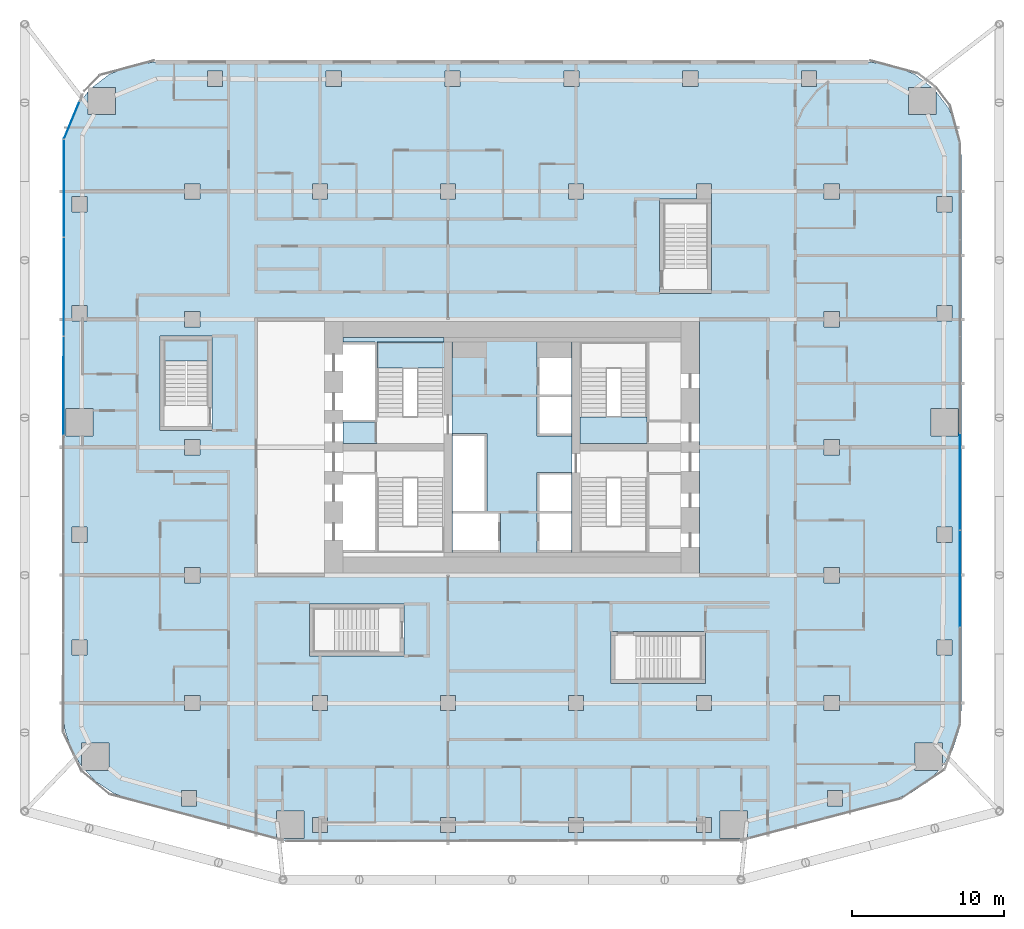
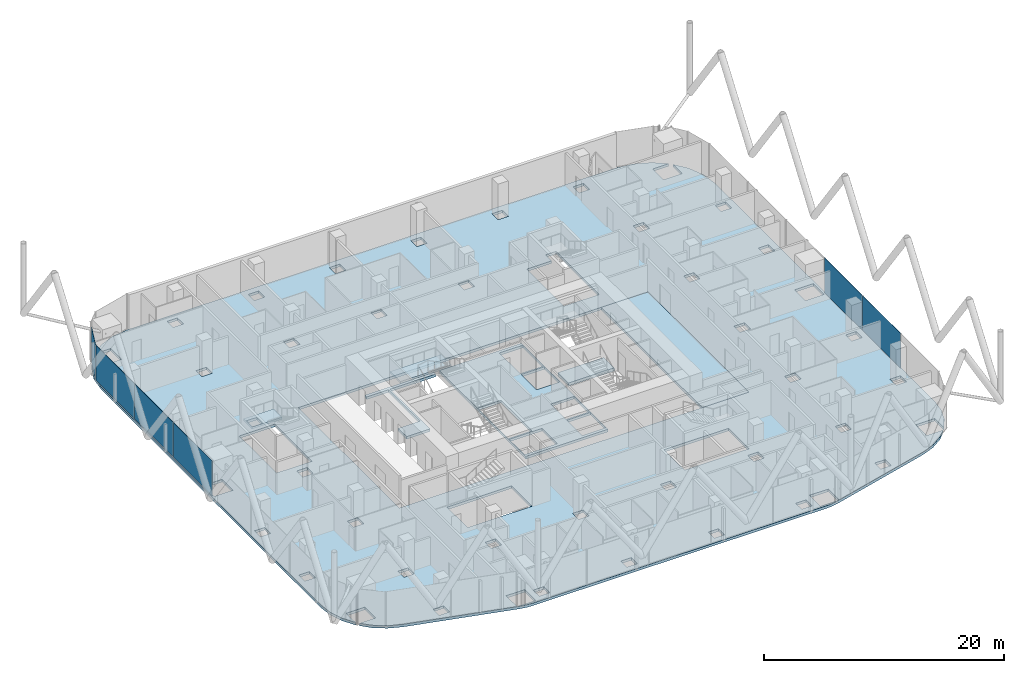
# One storey, part 21 of 34: 7 slabs, 6 plates, 5 elements without a shape of their own.
"""IFC4 building model written with IfcOpenShell, lengths in metres."""

import ifcopenshell
import ifcopenshell.guid

model = None  # the IFC model being written
_history = None  # IfcOwnerHistory: only IFC2X3 demands one
_inside = {}  # id of a spatial element -> (the spatial element, [elements in it])
_under = {}  # id of a project, library or spatial element -> (it, [spatial elements below it])
_declared = {}  # id of a project -> (the project, [libraries it declares])
_typed = {}  # id of a type object -> (the type object, [elements of that type])
_made_of = {}  # id of a material, layer set ... -> (it, [elements and type objects made of it])


def new_model(schema):
    """Start an empty IFC model of exactly this schema.

    Asked for "IFC4X3", IfcOpenShell would pick the latest addendum, in which some entities
    have other attributes; the version numbers below select the first issue.
    IFC2X3 requires an IfcOwnerHistory on every rooted entity: one is made here for all.
    """
    global model, _history
    if schema == "IFC4X3":
        model = ifcopenshell.file(schema_version=(4, 3, 0, 0))
    else:
        model = ifcopenshell.file(schema=schema)
    _inside.clear()
    _under.clear()
    _declared.clear()
    _typed.clear()
    _made_of.clear()
    _history = None
    if model.schema == "IFC2X3":
        org = make("IfcOrganization", Name="unknown")
        user = make(
            "IfcPersonAndOrganization",
            ThePerson=make("IfcPerson", FamilyName="unknown"),
            TheOrganization=org,
        )
        app = make(
            "IfcApplication",
            ApplicationDeveloper=org,
            Version="unknown",
            ApplicationFullName="unknown",
            ApplicationIdentifier="unknown",
        )
        _history = make(
            "IfcOwnerHistory",
            OwningUser=user,
            OwningApplication=app,
            ChangeAction="ADDED",
            CreationDate=0,
        )
    return model


def make(cls, **values):
    """One entity of the class cls with the attributes given. An attribute that is None is left unset."""
    return model.create_entity(
        cls, **{name: value for name, value in values.items() if value is not None}
    )


def rooted(cls, **values):
    """An entity with a GlobalId (a new one), such as an element, a storey or a relation."""
    return make(cls, GlobalId=ifcopenshell.guid.new(), OwnerHistory=_history, **values)


def si_unit(unit_type, name, prefix=None):
    """IfcSIUnit, for example si_unit("LENGTHUNIT", "METRE", prefix="MILLI")."""
    return make("IfcSIUnit", UnitType=unit_type, Prefix=prefix, Name=name)


def assignment(units):
    """IfcUnitAssignment: the units of a project."""
    return None if units is None else make("IfcUnitAssignment", Units=units)


def point(xyz):
    """IfcCartesianPoint."""
    return None if xyz is None else make("IfcCartesianPoint", Coordinates=xyz)


def direction(xyz):
    """IfcDirection."""
    return None if xyz is None else make("IfcDirection", DirectionRatios=xyz)


def frame(location, z_axis=None, x_axis=None):
    """IfcAxis2Placement3D, a coordinate frame: its origin and axes. An axis left out is left unset."""
    return make(
        "IfcAxis2Placement3D",
        Location=point(location),
        Axis=direction(z_axis),
        RefDirection=direction(x_axis),
    )


def frame_2d(location, x_axis=None):
    """IfcAxis2Placement2D, a coordinate frame in the plane: its origin and x axis."""
    return make(
        "IfcAxis2Placement2D", Location=point(location), RefDirection=direction(x_axis)
    )


def origin():
    """The frame at (0, 0, 0) with its axes left unset."""
    return frame((0.0, 0.0, 0.0))


def origin_2d():
    """The frame at (0, 0) in the plane with its x axis left unset."""
    return frame_2d((0.0, 0.0))


def place(relative_to, where):
    """IfcLocalPlacement: puts the frame where relative to a parent placement (None: the world)."""
    return make(
        "IfcLocalPlacement", PlacementRelTo=relative_to, RelativePlacement=where
    )


def context(
    kind, dimensions, precision=None, world=None, true_north=None, identifier=None
):
    """IfcGeometricRepresentationContext, for example the 3D "Model" context."""
    return make(
        "IfcGeometricRepresentationContext",
        ContextIdentifier=identifier,
        ContextType=kind,
        CoordinateSpaceDimension=dimensions,
        Precision=precision,
        WorldCoordinateSystem=world,
        TrueNorth=true_north,
    )


def subcontext(parent, identifier, kind, view, scale=None):
    """IfcGeometricRepresentationSubContext, for example "Body" below "Model"."""
    return make(
        "IfcGeometricRepresentationSubContext",
        ContextIdentifier=identifier,
        ContextType=kind,
        ParentContext=parent,
        TargetScale=scale,
        TargetView=view,
    )


def project(units=None, contexts=None):
    """IfcProject with its units and contexts."""
    return rooted(
        "IfcProject",
        Name="project",
        RepresentationContexts=contexts,
        UnitsInContext=assignment(units),
    )


def spatial(cls, under=None, at=None, **own):
    """A site, building, storey or space (cls), placed at a placement, below another one or the project."""
    s = rooted(cls, ObjectPlacement=at, **own)
    if under is not None:
        _under.setdefault(under.id(), (under, []))[1].append(s)
    return s


def polyline(points):
    """IfcPolyline through the points."""
    return make("IfcPolyline", Points=[point(p) for p in points])


def profile(cls, at=None, kind="AREA", **sizes):
    """A parametric profile (cls). Its sizes go by their IFC names, for example OverallWidth=200.0."""
    return make(cls, ProfileType=kind, Position=at, **sizes)


def rectangle(**sizes):
    """IfcRectangleProfileDef."""
    return profile("IfcRectangleProfileDef", **sizes)


def outline(outer, holes=None, kind="AREA"):
    """IfcArbitraryClosedProfileDef: a profile drawn as a closed curve; with holes, ...WithVoids."""
    if holes is None:
        return make("IfcArbitraryClosedProfileDef", ProfileType=kind, OuterCurve=outer)
    return make(
        "IfcArbitraryProfileDefWithVoids",
        ProfileType=kind,
        OuterCurve=outer,
        InnerCurves=holes,
    )


def extrude(swept, where, along, depth):
    """IfcExtrudedAreaSolid: the profile swept, set in the frame where, extruded along a direction by depth."""
    return make(
        "IfcExtrudedAreaSolid",
        SweptArea=swept,
        Position=where,
        ExtrudedDirection=direction(along),
        Depth=depth,
    )


def shape(context_of_items, identifier, shape_type, items):
    """IfcShapeRepresentation: the items that make up one representation, for example the "Body"."""
    return make(
        "IfcShapeRepresentation",
        ContextOfItems=context_of_items,
        RepresentationIdentifier=identifier,
        RepresentationType=shape_type,
        Items=items,
    )


def material(Name=None, Category=None):
    """IfcMaterial."""
    return make("IfcMaterial", Name=Name, Category=Category)


def layer(
    of_material, thickness, ventilated=None, Name=None, Category=None, Priority=None
):
    """IfcMaterialLayer: one layer of a wall or slab, of a material (None: an air gap)."""
    return make(
        "IfcMaterialLayer",
        Material=of_material,
        LayerThickness=thickness,
        IsVentilated=ventilated,
        Name=Name,
        Category=Category,
        Priority=Priority,
    )


def layer_set(layers, Name=None):
    """IfcMaterialLayerSet."""
    return make("IfcMaterialLayerSet", MaterialLayers=layers, LayerSetName=Name)


def made_of(thing, what):
    """Note that an element or type object is made of a material, layer set ...; save() writes the relation."""
    if what is not None:
        _made_of.setdefault(what.id(), (what, []))[1].append(thing)
    return thing


def type_object(cls, material=None, **own):
    """A type object (cls), such as IfcWallType, which elements share."""
    return made_of(rooted(cls, **own), material)


def element(
    cls,
    number,
    at=None,
    inside=None,
    cuts=None,
    type_object=None,
    material=None,
    context=None,
    identifier="Body",
    shape_type=None,
    held_by="IfcProductDefinitionShape",
    body=None,
    shapes=None,
    **own,
):
    """One element of the class cls, such as IfcWall. Its Tag is "e" and its number.

    at: its placement. inside: the storey or other place that contains it. cuts: it is an
    opening in that element (IfcRelVoidsElement). A single representation is given by context,
    identifier, shape_type and body (its items); several are given by shapes. held_by: the class
    of the entity that holds the representations. save() writes the other relations.
    """
    e = rooted(cls, Tag="e%d" % number, ObjectPlacement=at, **own)
    if body is not None:
        shapes = [shape(context, identifier, shape_type, body)]
    if shapes is not None:
        e.Representation = make(held_by, Representations=shapes)
    if inside is not None:
        _inside.setdefault(inside.id(), (inside, []))[1].append(e)
    if cuts is not None:
        rooted(
            "IfcRelVoidsElement", RelatingBuildingElement=cuts, RelatedOpeningElement=e
        )
    if type_object is not None:
        _typed.setdefault(type_object.id(), (type_object, []))[1].append(e)
    return made_of(e, material)


def aggregate(whole, parts):
    """IfcRelAggregates: a whole, such as a stair, and the parts it consists of."""
    return rooted("IfcRelAggregates", RelatingObject=whole, RelatedObjects=parts)


def save(model, path):
    """Write the relations noted so far, then the file.

    IfcRelAggregates (storeys below a building ...), IfcRelContainedInSpatialStructure (elements
    in a storey), IfcRelDefinesByType, IfcRelAssociatesMaterial and IfcRelDeclares: one each for
    every whole, place, type object, material and project.
    """
    for whole, parts in _under.values():
        aggregate(whole, parts)
    for where, things in _inside.values():
        rooted(
            "IfcRelContainedInSpatialStructure",
            RelatedElements=things,
            RelatingStructure=where,
        )
    for kind, things in _typed.values():
        rooted("IfcRelDefinesByType", RelatedObjects=things, RelatingType=kind)
    for what, things in _made_of.values():
        rooted("IfcRelAssociatesMaterial", RelatedObjects=things, RelatingMaterial=what)
    for by, libraries in _declared.values():
        rooted("IfcRelDeclares", RelatingContext=by, RelatedDefinitions=libraries)
    model.write(path)


model = new_model("IFC4")

# Units and contexts
model_context = context("Model", 3, precision=1e-05, world=origin(), true_north=direction((0.0, 1.0)))
body_context = subcontext(model_context, "Body", "Model", "MODEL_VIEW")
ifc_project = project(units=[si_unit("LENGTHUNIT", "METRE"), si_unit("AREAUNIT", "SQUARE_METRE"), si_unit("VOLUMEUNIT", "CUBIC_METRE"), si_unit("PLANEANGLEUNIT", "RADIAN"), si_unit("MASSUNIT", "GRAM", prefix="KILO")], contexts=[model_context])

# Site, building, storey
site_placement = place(None, origin())
site = spatial("IfcSite", under=ifc_project, at=site_placement, CompositionType="ELEMENT")
building_placement = place(site_placement, origin())
building = spatial("IfcBuilding", under=site, at=building_placement, Name="Marenta Gate Hotel Tower", CompositionType="ELEMENT")
storey_placement = place(building_placement, frame((0.0, 0.0, 47.300048828125)))
storey = spatial("IfcBuildingStorey", under=building, at=storey_placement, Name="L09", CompositionType="ELEMENT", Elevation=47.300048828125)

# Slabs
ifc_material_1 = material(Name="Concrete C35", Category="concrete")
ifc_layer_1 = layer(ifc_material_1, 0.260009765625)
ifc_layer_set_1 = layer_set([ifc_layer_1], Name="Concrete C35")
slab_type_1 = type_object("IfcSlabType", Name="Concrete floor slab 260", PredefinedType="FLOOR", material=ifc_layer_set_1)
slab_1_placement = place(storey_placement, frame((0.0, 0.0, -0.260009765625)))
element("IfcSlab", 1, at=slab_1_placement, inside=storey, type_object=slab_type_1, Name="L09-SL-1", PredefinedType="FLOOR", context=body_context, shape_type="SweptSolid", body=[
    extrude(outline(polyline([(-27.313720703125, -13.56396484375), (-28.015625, -12.8330078125), (-26.462890625, -12.8330078125), (-26.462890625, -11.032958984375), (-28.262939453125, -11.032958984375), (-28.262939453125, -12.55859375), (-28.927001953125, -11.467041015625), (-29.35546875, -10.20703125), (-29.5, -8.889892578125), (-29.5, 27.6064453125), (-29.29296875, 29.178955078125), (-28.68359375, 30.650390625), (-27.83544921875, 31.755615234375), (-27.83544921875, 30.235595703125), (-26.035400390625, 30.235595703125), (-26.035400390625, 32.035400390625), (-27.555419921875, 32.035400390625), (-26.450439453125, 32.883544921875), (-24.97900390625, 33.492919921875), (-23.406494140625, 33.699951171875), (23.406494140625, 33.699951171875), (24.97900390625, 33.492919921875), (26.450439453125, 32.883544921875), (27.555419921875, 32.035400390625), (26.035400390625, 32.035400390625), (26.035400390625, 30.235595703125), (27.83544921875, 30.235595703125), (27.83544921875, 31.755615234375), (28.68359375, 30.650390625), (29.29296875, 29.178955078125), (29.5, 27.6064453125), (29.5, -8.889892578125), (29.35546875, -10.20703125), (28.927001953125, -11.467041015625), (28.262939453125, -12.55859375), (28.262939453125, -11.032958984375), (26.462890625, -11.032958984375), (26.462890625, -12.8330078125), (28.015625, -12.8330078125), (27.313720703125, -13.56396484375), (26.205810546875, -14.30126953125), (24.969482421875, -14.77880859375), (15.2265625, -17.36376953125), (14.70849609375, -17.4658203125), (14.181640625, -17.5), (-14.181640625, -17.5), (-14.70849609375, -17.4658203125), (-15.2265625, -17.36376953125), (-24.969482421875, -14.77880859375), (-26.205810546875, -14.30126953125), (-27.313720703125, -13.56396484375)]), holes=[polyline([(-16.800048828125, 0.0), (16.800048828125, 0.0), (16.800048828125, 16.800048828125), (-16.800048828125, 16.800048828125), (-16.800048828125, 0.0)]), polyline([(-13.666259765625, -15.474853515625), (-15.46630859375, -15.474853515625), (-15.46630859375, -17.27490234375), (-13.666259765625, -17.27490234375), (-13.666259765625, -15.474853515625)]), polyline([(-20.706787109375, -14.13916015625), (-21.706787109375, -14.13916015625), (-21.706787109375, -15.13916015625), (-20.706787109375, -15.13916015625), (-20.706787109375, -14.13916015625)]), polyline([(-20.5, -8.89990234375), (-20.5, -7.89990234375), (-21.5, -7.89990234375), (-21.5, -8.89990234375), (-20.5, -8.89990234375)]), polyline([(-12.10009765625, -8.89990234375), (-12.10009765625, -7.89990234375), (-13.10009765625, -7.89990234375), (-13.10009765625, -8.89990234375), (-12.10009765625, -8.89990234375)]), polyline([(-27.89990234375, -4.251953125), (-28.89990234375, -4.251953125), (-28.89990234375, -5.251953125), (-27.89990234375, -5.251953125), (-27.89990234375, -4.251953125)]), polyline([(-20.5, -0.5), (-20.5, 0.5), (-21.5, 0.5), (-21.5, -0.5), (-20.5, -0.5)]), polyline([(-27.89990234375, 2.149169921875), (-27.89990234375, 3.149169921875), (-28.89990234375, 3.149169921875), (-28.89990234375, 2.149169921875), (-27.89990234375, 2.149169921875)]), polyline([(-20.5, 8.89990234375), (-21.5, 8.89990234375), (-21.5, 7.89990234375), (-20.5, 7.89990234375), (-20.5, 8.89990234375)]), polyline([(-27.5, 9.14990234375), (-27.5, 10.949951171875), (-29.300048828125, 10.949951171875), (-29.300048828125, 9.14990234375), (-27.5, 9.14990234375)]), polyline([(-20.5, 16.300048828125), (-20.5, 17.300048828125), (-21.5, 17.300048828125), (-21.5, 16.300048828125), (-20.5, 16.300048828125)]), polyline([(-27.89990234375, 17.703125), (-28.89990234375, 17.703125), (-28.89990234375, 16.703125), (-27.89990234375, 16.703125), (-27.89990234375, 17.703125)]), polyline([(-27.89990234375, 23.8564453125), (-27.89990234375, 24.8564453125), (-28.89990234375, 24.8564453125), (-28.89990234375, 23.8564453125), (-27.89990234375, 23.8564453125)]), polyline([(-20.5, 24.699951171875), (-20.5, 25.699951171875), (-21.5, 25.699951171875), (-21.5, 24.699951171875), (-20.5, 24.699951171875)]), polyline([(-19.0068359375, 32.10009765625), (-19.0068359375, 33.10009765625), (-20.0068359375, 33.10009765625), (-20.0068359375, 32.10009765625), (-19.0068359375, 32.10009765625)]), polyline([(-12.10009765625, -16.89990234375), (-12.10009765625, -15.89990234375), (-13.10009765625, -15.89990234375), (-13.10009765625, -16.89990234375), (-12.10009765625, -16.89990234375)]), polyline([(-3.699951171875, -15.89990234375), (-4.699951171875, -15.89990234375), (-4.699951171875, -16.89990234375), (-3.699951171875, -16.89990234375), (-3.699951171875, -15.89990234375)]), polyline([(4.699951171875, -16.89990234375), (4.699951171875, -15.89990234375), (3.699951171875, -15.89990234375), (3.699951171875, -16.89990234375), (4.699951171875, -16.89990234375)]), polyline([(13.10009765625, -16.89990234375), (13.10009765625, -15.89990234375), (12.10009765625, -15.89990234375), (12.10009765625, -16.89990234375), (13.10009765625, -16.89990234375)]), polyline([(15.46630859375, -15.474853515625), (13.666259765625, -15.474853515625), (13.666259765625, -17.27490234375), (15.46630859375, -17.27490234375), (15.46630859375, -15.474853515625)]), polyline([(-3.699951171875, -8.89990234375), (-3.699951171875, -7.89990234375), (-4.699951171875, -7.89990234375), (-4.699951171875, -8.89990234375), (-3.699951171875, -8.89990234375)]), polyline([(4.699951171875, -8.89990234375), (4.699951171875, -7.89990234375), (3.699951171875, -7.89990234375), (3.699951171875, -8.89990234375), (4.699951171875, -8.89990234375)]), polyline([(13.10009765625, -7.89990234375), (12.10009765625, -7.89990234375), (12.10009765625, -8.89990234375), (13.10009765625, -8.89990234375), (13.10009765625, -7.89990234375)]), polyline([(-12.10009765625, 25.699951171875), (-13.10009765625, 25.699951171875), (-13.10009765625, 24.699951171875), (-12.10009765625, 24.699951171875), (-12.10009765625, 25.699951171875)]), polyline([(-3.699951171875, 25.699951171875), (-4.699951171875, 25.699951171875), (-4.699951171875, 24.699951171875), (-3.699951171875, 24.699951171875), (-3.699951171875, 25.699951171875)]), polyline([(4.699951171875, 24.699951171875), (4.699951171875, 25.699951171875), (3.699951171875, 25.699951171875), (3.699951171875, 24.699951171875), (4.699951171875, 24.699951171875)]), polyline([(13.10009765625, 25.699951171875), (12.10009765625, 25.699951171875), (12.10009765625, 24.699951171875), (9.699951171875, 24.699951171875), (9.699951171875, 18.5), (13.10009765625, 18.5), (13.10009765625, 25.699951171875)]), polyline([(-11.2041015625, 33.10009765625), (-12.2041015625, 33.10009765625), (-12.2041015625, 32.10009765625), (-11.2041015625, 32.10009765625), (-11.2041015625, 33.10009765625)]), polyline([(-3.4013671875, 32.10009765625), (-3.4013671875, 33.10009765625), (-4.4013671875, 33.10009765625), (-4.4013671875, 32.10009765625), (-3.4013671875, 32.10009765625)]), polyline([(4.4013671875, 32.10009765625), (4.4013671875, 33.10009765625), (3.4013671875, 33.10009765625), (3.4013671875, 32.10009765625), (4.4013671875, 32.10009765625)]), polyline([(12.2041015625, 33.10009765625), (11.2041015625, 33.10009765625), (11.2041015625, 32.10009765625), (12.2041015625, 32.10009765625), (12.2041015625, 33.10009765625)]), polyline([(21.706787109375, -15.13916015625), (21.706787109375, -14.13916015625), (20.706787109375, -14.13916015625), (20.706787109375, -15.13916015625), (21.706787109375, -15.13916015625)]), polyline([(21.5, -7.89990234375), (20.5, -7.89990234375), (20.5, -8.89990234375), (21.5, -8.89990234375), (21.5, -7.89990234375)]), polyline([(28.89990234375, -5.251953125), (28.89990234375, -4.251953125), (27.89990234375, -4.251953125), (27.89990234375, -5.251953125), (28.89990234375, -5.251953125)]), polyline([(21.5, -0.5), (21.5, 0.5), (20.5, 0.5), (20.5, -0.5), (21.5, -0.5)]), polyline([(28.89990234375, 3.149169921875), (27.89990234375, 3.149169921875), (27.89990234375, 2.149169921875), (28.89990234375, 2.149169921875), (28.89990234375, 3.149169921875)]), polyline([(21.5, 7.89990234375), (21.5, 8.89990234375), (20.5, 8.89990234375), (20.5, 7.89990234375), (21.5, 7.89990234375)]), polyline([(29.300048828125, 9.14990234375), (29.300048828125, 10.949951171875), (27.5, 10.949951171875), (27.5, 9.14990234375), (29.300048828125, 9.14990234375)]), polyline([(21.5, 17.300048828125), (20.5, 17.300048828125), (20.5, 16.300048828125), (21.5, 16.300048828125), (21.5, 17.300048828125)]), polyline([(28.89990234375, 16.703125), (28.89990234375, 17.703125), (27.89990234375, 17.703125), (27.89990234375, 16.703125), (28.89990234375, 16.703125)]), polyline([(28.89990234375, 23.8564453125), (28.89990234375, 24.8564453125), (27.89990234375, 24.8564453125), (27.89990234375, 23.8564453125), (28.89990234375, 23.8564453125)]), polyline([(21.5, 25.699951171875), (20.5, 25.699951171875), (20.5, 24.699951171875), (21.5, 24.699951171875), (21.5, 25.699951171875)]), polyline([(20.0068359375, 32.10009765625), (20.0068359375, 33.10009765625), (19.0068359375, 33.10009765625), (19.0068359375, 32.10009765625), (20.0068359375, 32.10009765625)]), polyline([(6.5, -7.10009765625), (12.699951171875, -7.10009765625), (12.699951171875, -3.699951171875), (6.5, -3.699951171875), (6.5, -7.10009765625)]), polyline([(-13.300048828125, -5.300048828125), (-7.10009765625, -5.300048828125), (-7.10009765625, -1.89990234375), (-13.300048828125, -1.89990234375), (-13.300048828125, -5.300048828125)]), polyline([(-23.10009765625, 9.5), (-19.699951171875, 9.5), (-19.699951171875, 15.699951171875), (-23.10009765625, 15.699951171875), (-23.10009765625, 9.5)])]), origin(), (0.0, 0.0, 1.0), 0.260009765625),
])
ifc_material_2 = material(Name="Concrete C40", Category="concrete")
ifc_layer_2 = layer(ifc_material_2, 0.260009765625)
ifc_layer_set_2 = layer_set([ifc_layer_2], Name="Concrete C40")
slab_type_2 = type_object("IfcSlabType", Name="Core floor slab 260", PredefinedType="FLOOR", material=ifc_layer_set_2)
slab_2_placement = place(storey_placement, frame((0.0, 0.0, -0.260009765625)))
element("IfcSlab", 2, at=slab_2_placement, inside=storey, type_object=slab_type_2, Name="L09-CF-1", PredefinedType="FLOOR", context=body_context, shape_type="SweptSolid", body=[
    extrude(outline(polyline([(12.300048828125, 0.0), (12.300048828125, 16.800048828125), (16.800048828125, 16.800048828125), (16.800048828125, 0.0), (12.300048828125, 0.0)])), origin(), (0.0, 0.0, 1.0), 0.260009765625),
])
slab_3_placement = place(storey_placement, frame((0.0, 0.0, -0.260009765625)))
element("IfcSlab", 3, at=slab_3_placement, inside=storey, type_object=slab_type_2, Name="L09-CF-4", PredefinedType="FLOOR", context=body_context, shape_type="SweptSolid", body=[
    extrude(outline(polyline([(3.949951171875, 15.300048828125), (3.949951171875, 10.39990234375), (3.949951171875, 6.39990234375), (3.949951171875, 1.5), (3.949951171875, 1.199951171875), (-3.949951171875, 1.199951171875), (-3.949951171875, 1.5), (-3.949951171875, 6.39990234375), (-3.949951171875, 10.39990234375), (-3.949951171875, 15.300048828125), (-3.949951171875, 15.60009765625), (3.949951171875, 15.60009765625), (3.949951171875, 15.300048828125)]), holes=[polyline([(1.64990234375, 4.050048828125), (1.64990234375, 1.64990234375), (1.64990234375, 1.5), (3.89990234375, 1.5), (3.89990234375, 1.64990234375), (3.89990234375, 4.050048828125), (1.800048828125, 4.050048828125), (1.64990234375, 4.050048828125)]), polyline([(1.64990234375, 9.14990234375), (3.89990234375, 9.14990234375), (3.89990234375, 9.300048828125), (3.89990234375, 11.699951171875), (1.800048828125, 11.699951171875), (1.64990234375, 11.699951171875), (1.64990234375, 9.300048828125), (1.64990234375, 9.14990234375)]), polyline([(1.64990234375, 11.85009765625), (1.800048828125, 11.85009765625), (3.89990234375, 11.85009765625), (3.89990234375, 14.25), (3.89990234375, 15.300048828125), (1.64990234375, 15.300048828125), (1.64990234375, 14.25), (1.64990234375, 11.85009765625)]), polyline([(3.89990234375, 6.60009765625), (3.89990234375, 6.75), (1.64990234375, 6.75), (1.64990234375, 6.60009765625), (1.64990234375, 4.199951171875), (1.800048828125, 4.199951171875), (3.89990234375, 4.199951171875), (3.89990234375, 6.60009765625)]), polyline([(-3.89990234375, 1.5), (-0.89990234375, 1.5), (-0.75, 1.5), (-0.75, 4.050048828125), (-0.89990234375, 4.050048828125), (-3.89990234375, 4.050048828125), (-3.89990234375, 1.64990234375), (-3.89990234375, 1.5)]), polyline([(-1.64990234375, 4.199951171875), (-1.64990234375, 9.14990234375), (-1.64990234375, 9.300048828125), (-3.89990234375, 9.300048828125), (-3.89990234375, 9.14990234375), (-3.89990234375, 6.75), (-3.89990234375, 6.60009765625), (-3.89990234375, 4.199951171875), (-1.800048828125, 4.199951171875), (-1.64990234375, 4.199951171875)])]), origin(), (0.0, 0.0, 1.0), 0.260009765625),
])
slab_4_placement = place(storey_placement, frame((0.0, 0.0, -0.260009765625)))
element("IfcSlab", 4, at=slab_4_placement, inside=storey, type_object=slab_type_2, Name="L09-CF-6", PredefinedType="FLOOR", context=body_context, shape_type="SweptSolid", body=[
    extrude(outline(polyline([(-4.449951171875, 15.300048828125), (-8.85009765625, 15.300048828125), (-8.85009765625, 10.39990234375), (-8.85009765625, 8.699951171875), (-8.85009765625, 8.64990234375), (-11.10009765625, 8.64990234375), (-11.10009765625, 10.050048828125), (-9.0, 10.050048828125), (-9.0, 10.199951171875), (-9.0, 12.60009765625), (-9.0, 12.75), (-9.0, 15.14990234375), (-9.0, 15.300048828125), (-11.10009765625, 15.300048828125), (-11.10009765625, 15.60009765625), (-4.449951171875, 15.60009765625), (-4.449951171875, 15.300048828125)])), origin(), (0.0, 0.0, 1.0), 0.260009765625),
])

# Stair, slab
ifc_material_3 = material(Name="Concrete C40", Category="concrete")
stair_type_1 = type_object("IfcStairType", Name="Core exit stair 1700 wide", PredefinedType="HALF_TURN_STAIR", material=ifc_material_3)
stair_1_placement = place(storey_placement, origin())
stair_1 = element("IfcStair", 5, at=stair_1_placement, inside=storey, type_object=stair_type_1, Name="Exit stair 2", PredefinedType="HALF_TURN_STAIR")
ifc_material_4 = material(Name="Concrete C40", Category="concrete")
ifc_layer_3 = layer(ifc_material_4, 0.199951171875)
ifc_layer_set_3 = layer_set([ifc_layer_3], Name="Concrete C40")
slab_type_3 = type_object("IfcSlabType", Name="Core stair landing 200", PredefinedType="LANDING", material=ifc_layer_set_3)
slab_5_placement = place(storey_placement, frame((0.0, 0.0, 1.599853515625)))
slab_5 = element("IfcSlab", 6, at=slab_5_placement, type_object=slab_type_3, Name="SL-200 ST2 landing 1", PredefinedType="LANDING", context=body_context, shape_type="SweptSolid", body=[
    extrude(outline(polyline([(-8.85009765625, 13.590087890625), (-3.949951171875, 13.590087890625), (-3.949951171875, 15.300048828125), (-8.85009765625, 15.300048828125), (-8.85009765625, 13.590087890625)])), origin(), (0.0, 0.0, 1.0), 0.2001953125),
])
aggregate(stair_1, [slab_5])

# Curtain wall, plate
ifc_material_5 = material(Name="Tinted insulated glass in bronze anodised frame", Category="glass")
ifc_layer_4 = layer(ifc_material_5, 0.1201171875)
ifc_layer_set_4 = layer_set([ifc_layer_4], Name="Tinted insulated glass in bronze anodised frame")
curtain_wall_type = type_object("IfcCurtainWallType", Name="Tower unitised curtain wall CW1", PredefinedType="NOTDEFINED", material=ifc_layer_set_4)
curtain_wall_1_placement = place(storey_placement, origin())
curtain_wall_1 = element("IfcCurtainWall", 7, at=curtain_wall_1_placement, inside=storey, type_object=curtain_wall_type, Name="CW1 run G03", PredefinedType="NOTDEFINED")
ifc_material_6 = material(Name="Tinted insulated glass", Category="glass")
ifc_layer_5 = layer(ifc_material_6, 0.028076171875)
ifc_layer_set_5 = layer_set([ifc_layer_5], Name="Tinted insulated glass")
plate_type = type_object("IfcPlateType", Name="Glass panel CW1 28 mm tinted insulated unit", PredefinedType="CURTAIN_PANEL", material=ifc_layer_set_5)
plate_1_placement = place(storey_placement, frame((-28.91064453125, 29.87744140625, 0.059814453125), z_axis=(0.0, 0.0, 1.0), x_axis=(-0.382676683393, -0.923882327998, 0.0)))
plate_1 = element("IfcPlate", 8, at=plate_1_placement, type_object=plate_type, Name="CW1 panel 1.1", PredefinedType="CURTAIN_PANEL", context=body_context, shape_type="SweptSolid", body=[
    extrude(rectangle(XDim=2.622314453125, YDim=0.028076171875, at=origin_2d()), origin(), (0.0, 0.0, 1.0), 3.5400390625),
])
aggregate(curtain_wall_1, [plate_1])

# Curtain wall, plates
curtain_wall_2_placement = place(storey_placement, origin())
curtain_wall_2 = element("IfcCurtainWall", 9, at=curtain_wall_2_placement, inside=storey, type_object=curtain_wall_type, Name="CW1 run G04", PredefinedType="NOTDEFINED")
plate_2_placement = place(storey_placement, frame((-29.41748046875, 25.406005859375, 0.059814453125), z_axis=(0.0, 0.0, 1.0), x_axis=(-0.00156642217, -0.99999877316, 0.0)))
plate_2 = element("IfcPlate", 10, at=plate_2_placement, type_object=plate_type, Name="CW1 panel 1.1", PredefinedType="CURTAIN_PANEL", context=body_context, shape_type="SweptSolid", body=[
    extrude(rectangle(XDim=6.400390625, YDim=0.028076171875, at=origin_2d()), origin(), (0.0, 0.0, 1.0), 3.5400390625),
])
plate_3_placement = place(storey_placement, frame((-29.427490234375, 18.9306640625, 0.059814453125), z_axis=(0.0, 0.0, 1.0), x_axis=(-0.00156642217, -0.99999877316, 0.0)))
plate_3 = element("IfcPlate", 11, at=plate_3_placement, type_object=plate_type, Name="CW1 panel 2.1", PredefinedType="CURTAIN_PANEL", context=body_context, shape_type="SweptSolid", body=[
    extrude(rectangle(XDim=6.430419921875, YDim=0.028076171875, at=origin_2d()), origin(), (0.0, 0.0, 1.0), 3.5400390625),
])
plate_4_placement = place(storey_placement, frame((-29.437744140625, 12.440185546875, 0.059814453125), z_axis=(0.0, 0.0, 1.0), x_axis=(-0.00156642217, -0.99999877316, 0.0)))
plate_4 = element("IfcPlate", 12, at=plate_4_placement, type_object=plate_type, Name="CW1 panel 3.1", PredefinedType="CURTAIN_PANEL", context=body_context, shape_type="SweptSolid", body=[
    extrude(rectangle(XDim=6.430419921875, YDim=0.028076171875, at=origin_2d()), origin(), (0.0, 0.0, 1.0), 3.5400390625),
])
aggregate(curtain_wall_2, [plate_2, plate_3, plate_4])

curtain_wall_3_placement = place(storey_placement, origin())
curtain_wall_3 = element("IfcCurtainWall", 13, at=curtain_wall_3_placement, inside=storey, type_object=curtain_wall_type, Name="CW1 run G18", PredefinedType="NOTDEFINED")
plate_5_placement = place(storey_placement, frame((29.4140625, -0.22802734375, 0.059814453125), z_axis=(0.0, 0.0, 1.0), x_axis=(0.0, 1.0, 0.0)))
plate_5 = element("IfcPlate", 14, at=plate_5_placement, type_object=plate_type, Name="CW1 panel 2.1", PredefinedType="CURTAIN_PANEL", context=body_context, shape_type="SweptSolid", body=[
    extrude(rectangle(XDim=6.300048828125, YDim=0.028076171875, at=origin_2d()), origin(), (0.0, 0.0, 1.0), 3.5400390625),
])
plate_6_placement = place(storey_placement, frame((29.4140625, 6.132080078125, 0.059814453125), z_axis=(0.0, 0.0, 1.0), x_axis=(0.0, 1.0, 0.0)))
plate_6 = element("IfcPlate", 15, at=plate_6_placement, type_object=plate_type, Name="CW1 panel 3.1", PredefinedType="CURTAIN_PANEL", context=body_context, shape_type="SweptSolid", body=[
    extrude(rectangle(XDim=6.300048828125, YDim=0.028076171875, at=origin_2d()), origin(), (0.0, 0.0, 1.0), 3.5400390625),
])
aggregate(curtain_wall_3, [plate_5, plate_6])

# Stair, slab
ifc_material_7 = material(Name="Concrete C40", Category="concrete")
stair_type_2 = type_object("IfcStairType", Name="Remote exit stair 1400 wide", PredefinedType="HALF_TURN_STAIR", material=ifc_material_7)
stair_2_placement = place(storey_placement, origin())
stair_2 = element("IfcStair", 16, at=stair_2_placement, inside=storey, type_object=stair_type_2, Name="Exit stair RS-Z1-3", PredefinedType="HALF_TURN_STAIR")
ifc_material_8 = material(Name="Concrete C40", Category="concrete")
ifc_layer_6 = layer(ifc_material_8, 0.199951171875)
ifc_layer_set_6 = layer_set([ifc_layer_6], Name="Concrete C40")
slab_type_4 = type_object("IfcSlabType", Name="Remote stair landing 200", PredefinedType="LANDING", material=ifc_layer_set_6)
slab_6_placement = place(storey_placement, frame((0.0, 0.0, 1.599853515625)))
slab_6 = element("IfcSlab", 17, at=slab_6_placement, type_object=slab_type_4, Name="RL-200 RS-Z1-3 landing 1", PredefinedType="LANDING", context=body_context, shape_type="SweptSolid", body=[
    extrude(outline(polyline([(-22.85009765625, 14.050048828125), (-19.949951171875, 14.050048828125), (-19.949951171875, 15.449951171875), (-22.85009765625, 15.449951171875), (-22.85009765625, 14.050048828125)])), origin(), (0.0, 0.0, 1.0), 0.2001953125),
])
aggregate(stair_2, [slab_6])

# Slab
ifc_material_9 = material(Name="Concrete C40", Category="concrete")
ifc_layer_7 = layer(ifc_material_9, 0.300048828125)
ifc_layer_set_7 = layer_set([ifc_layer_7], Name="Concrete C40")
slab_type_5 = type_object("IfcSlabType", Name="Stair floor landing slab 300", PredefinedType="FLOOR", material=ifc_layer_set_7)
slab_7_placement = place(storey_placement, frame((0.0, 0.0, -0.300048828125)))
element("IfcSlab", 18, at=slab_7_placement, inside=storey, type_object=slab_type_5, Name="L09-CL-ST4-1", PredefinedType="FLOOR", context=body_context, shape_type="SweptSolid", body=[
    extrude(outline(polyline([(4.449951171875, 8.64990234375), (4.449951171875, 10.39990234375), (8.85009765625, 10.39990234375), (8.85009765625, 8.699951171875), (8.85009765625, 8.64990234375), (4.449951171875, 8.64990234375)])), origin(), (0.0, 0.0, 1.0), 0.300048828125),
])

save(model, "model.ifc")
